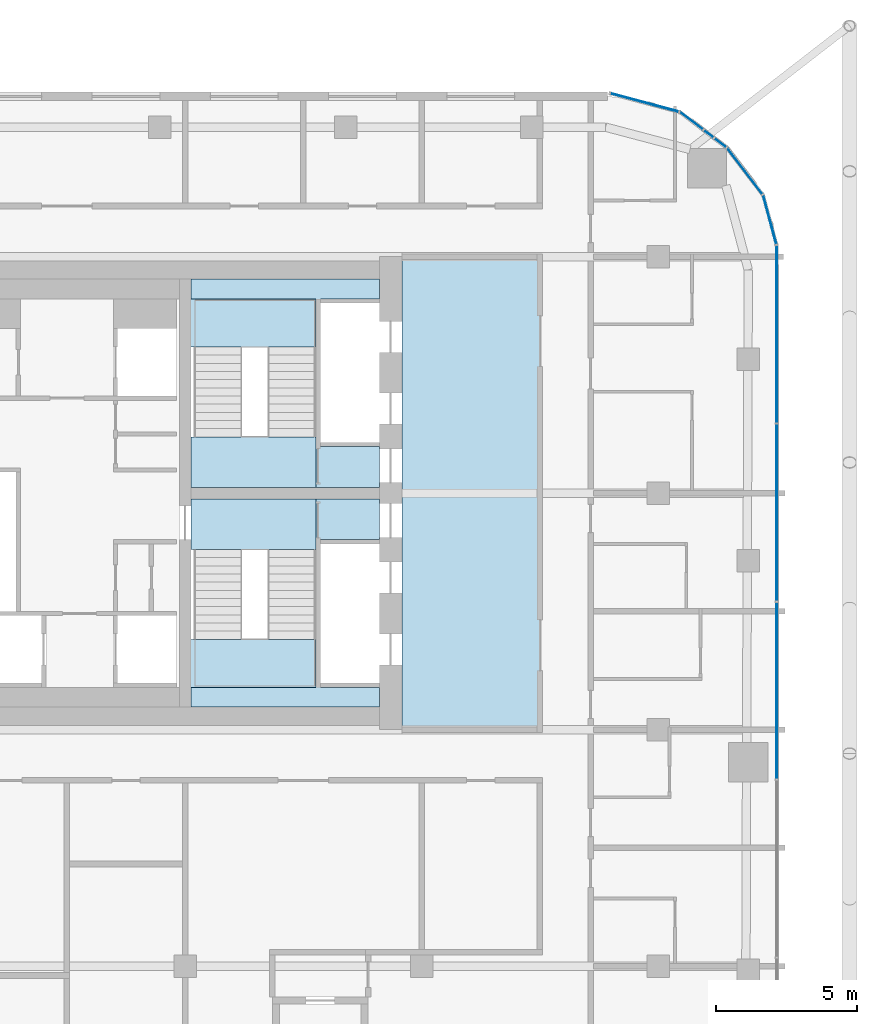
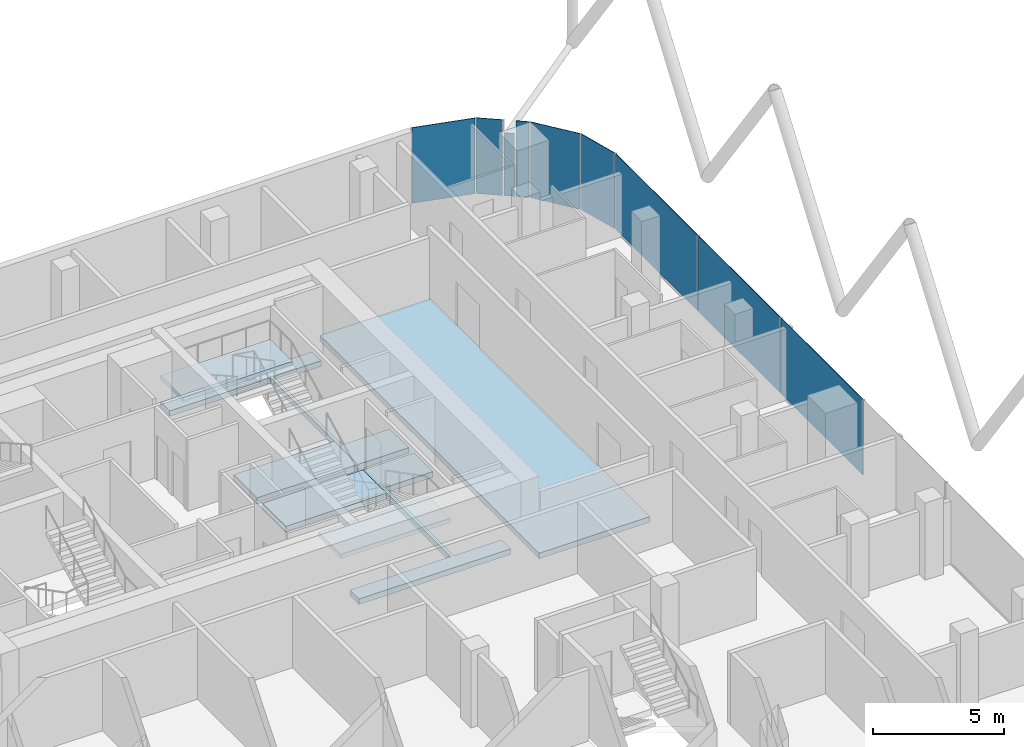
# One storey, part 19 of 28: 9 plates, 7 slabs, 9 elements without a shape of their own.
"""IFC4 building model written with IfcOpenShell, lengths in metres."""

from ifc_helpers import new_model, si_unit, direction, frame, origin, origin_2d, place, context, subcontext, project, spatial, polyline, rectangle, outline, extrude, material, layer, layer_set, type_object, element, aggregate, save


model = new_model("IFC4")

# Units and contexts
model_context = context("Model", 3, precision=1e-05, world=origin(), true_north=direction((0.0, 1.0)))
body_context = subcontext(model_context, "Body", "Model", "MODEL_VIEW")
ifc_project = project(units=[si_unit("LENGTHUNIT", "METRE"), si_unit("AREAUNIT", "SQUARE_METRE"), si_unit("VOLUMEUNIT", "CUBIC_METRE"), si_unit("PLANEANGLEUNIT", "RADIAN"), si_unit("MASSUNIT", "GRAM", prefix="KILO")], contexts=[model_context])

# Site, building, storey
site_placement = place(None, origin())
site = spatial("IfcSite", under=ifc_project, at=site_placement, CompositionType="ELEMENT")
building_placement = place(site_placement, origin())
building = spatial("IfcBuilding", under=site, at=building_placement, Name="Marenta Gate Hotel Tower", CompositionType="ELEMENT")
storey_placement = place(building_placement, frame((0.0, 0.0, 241.699951171875)))
storey = spatial("IfcBuildingStorey", under=building, at=storey_placement, Name="L57", CompositionType="ELEMENT", Elevation=241.699951171875)

# Slabs
ifc_material_1 = material(Name="Concrete C40", Category="concrete")
ifc_layer_1 = layer(ifc_material_1, 0.260009765625)
ifc_layer_set_1 = layer_set([ifc_layer_1], Name="Concrete C40")
slab_type_1 = type_object("IfcSlabType", Name="Core floor slab 260", PredefinedType="FLOOR", material=ifc_layer_set_1)
slab_1_placement = place(storey_placement, frame((0.0, 0.0, -0.260009765625)))
element("IfcSlab", 1, at=slab_1_placement, inside=storey, type_object=slab_type_1, Name="L57-CF-1", PredefinedType="FLOOR", context=body_context, shape_type="SweptSolid", body=[
    extrude(outline(polyline([(11.89990234375, 0.0), (11.89990234375, 16.800048828125), (16.800048828125, 16.800048828125), (16.800048828125, 0.0), (11.89990234375, 0.0)])), origin(), (0.0, 0.0, 1.0), 0.260009765625),
])
slab_2_placement = place(storey_placement, frame((0.0, 0.0, -0.260009765625)))
element("IfcSlab", 2, at=slab_2_placement, inside=storey, type_object=slab_type_1, Name="L57-CF-2", PredefinedType="FLOOR", context=body_context, shape_type="SweptSolid", body=[
    extrude(outline(polyline([(8.85009765625, 1.5), (8.85009765625, 6.39990234375), (8.85009765625, 8.10009765625), (8.85009765625, 8.199951171875), (11.10009765625, 8.199951171875), (11.10009765625, 6.75), (9.0, 6.75), (9.0, 6.60009765625), (9.0, 4.199951171875), (9.0, 4.050048828125), (9.0, 1.64990234375), (9.0, 1.5), (11.10009765625, 1.5), (11.10009765625, 0.800048828125), (4.39990234375, 0.800048828125), (4.39990234375, 1.5), (8.85009765625, 1.5)])), origin(), (0.0, 0.0, 1.0), 0.260009765625),
])
slab_3_placement = place(storey_placement, frame((0.0, 0.0, -0.260009765625)))
element("IfcSlab", 3, at=slab_3_placement, inside=storey, type_object=slab_type_1, Name="L57-CF-3", PredefinedType="FLOOR", context=body_context, shape_type="SweptSolid", body=[
    extrude(outline(polyline([(8.85009765625, 15.300048828125), (4.39990234375, 15.300048828125), (4.39990234375, 16.0), (11.10009765625, 16.0), (11.10009765625, 15.300048828125), (9.0, 15.300048828125), (9.0, 15.14990234375), (9.0, 12.75), (9.0, 12.60009765625), (9.0, 10.199951171875), (9.0, 10.050048828125), (11.10009765625, 10.050048828125), (11.10009765625, 8.60009765625), (8.85009765625, 8.60009765625), (8.85009765625, 8.699951171875), (8.85009765625, 10.39990234375), (8.85009765625, 15.300048828125)])), origin(), (0.0, 0.0, 1.0), 0.260009765625),
])

# Stair, slab
ifc_material_2 = material(Name="Concrete C40", Category="concrete")
stair_type = type_object("IfcStairType", Name="Core exit stair 1700 wide", PredefinedType="HALF_TURN_STAIR", material=ifc_material_2)
stair_1_placement = place(storey_placement, origin())
stair_1 = element("IfcStair", 4, at=stair_1_placement, inside=storey, type_object=stair_type, Name="Exit stair 3", PredefinedType="HALF_TURN_STAIR")
ifc_material_3 = material(Name="Concrete C40", Category="concrete")
ifc_layer_2 = layer(ifc_material_3, 0.199951171875)
ifc_layer_set_2 = layer_set([ifc_layer_2], Name="Concrete C40")
slab_type_2 = type_object("IfcSlabType", Name="Core stair landing 200", PredefinedType="LANDING", material=ifc_layer_set_2)
slab_4_placement = place(storey_placement, frame((0.0, 0.0, 1.60009765625)))
slab_4 = element("IfcSlab", 5, at=slab_4_placement, type_object=slab_type_2, Name="SL-200 ST3 landing 1", PredefinedType="LANDING", context=body_context, shape_type="SweptSolid", body=[
    extrude(outline(polyline([(4.0, 1.5), (8.85009765625, 1.5), (8.85009765625, 3.2099609375), (4.0, 3.2099609375), (4.0, 1.5)])), origin(), (0.0, 0.0, 1.0), 0.199951171875),
])
aggregate(stair_1, [slab_4])

stair_2_placement = place(storey_placement, origin())
stair_2 = element("IfcStair", 6, at=stair_2_placement, inside=storey, type_object=stair_type, Name="Exit stair 4", PredefinedType="HALF_TURN_STAIR")
slab_5_placement = place(storey_placement, frame((0.0, 0.0, 1.60009765625)))
slab_5 = element("IfcSlab", 7, at=slab_5_placement, type_object=slab_type_2, Name="SL-200 ST4 landing 1", PredefinedType="LANDING", context=body_context, shape_type="SweptSolid", body=[
    extrude(outline(polyline([(4.0, 13.590087890625), (8.85009765625, 13.590087890625), (8.85009765625, 15.300048828125), (4.0, 15.300048828125), (4.0, 13.590087890625)])), origin(), (0.0, 0.0, 1.0), 0.199951171875),
])
aggregate(stair_2, [slab_5])

# Curtain wall, plates
ifc_material_4 = material(Name="Tinted insulated glass in bronze anodised frame", Category="glass")
ifc_layer_3 = layer(ifc_material_4, 0.1201171875)
ifc_layer_set_3 = layer_set([ifc_layer_3], Name="Tinted insulated glass in bronze anodised frame")
curtain_wall_type = type_object("IfcCurtainWallType", Name="Tower unitised curtain wall CW1", PredefinedType="NOTDEFINED", material=ifc_layer_set_3)
curtain_wall_1_placement = place(storey_placement, origin())
curtain_wall_1 = element("IfcCurtainWall", 8, at=curtain_wall_1_placement, inside=storey, type_object=curtain_wall_type, Name="CW1 run G19", PredefinedType="NOTDEFINED")
ifc_material_5 = material(Name="Tinted insulated glass", Category="glass")
ifc_layer_4 = layer(ifc_material_5, 0.028076171875)
ifc_layer_set_4 = layer_set([ifc_layer_4], Name="Tinted insulated glass")
plate_type = type_object("IfcPlateType", Name="Glass panel CW1 28 mm tinted insulated unit", PredefinedType="CURTAIN_PANEL", material=ifc_layer_set_4)
plate_1_placement = place(storey_placement, frame((25.214111328125, 1.38525390625, 0.06005859375), z_axis=(0.0, 0.0, 1.0), x_axis=(0.0, 1.0, 0.0)))
plate_1 = element("IfcPlate", 9, at=plate_1_placement, type_object=plate_type, Name="CW1 panel 4.1", PredefinedType="CURTAIN_PANEL", context=body_context, shape_type="SweptSolid", body=[
    extrude(rectangle(XDim=6.2626953125, YDim=0.028076171875, at=origin_2d()), origin(), (0.0, 0.0, 1.0), 3.5400390625),
])
plate_2_placement = place(storey_placement, frame((25.214111328125, 7.7080078125, 0.06005859375), z_axis=(0.0, 0.0, 1.0), x_axis=(0.0, 1.0, 0.0)))
plate_2 = element("IfcPlate", 10, at=plate_2_placement, type_object=plate_type, Name="CW1 panel 5.1", PredefinedType="CURTAIN_PANEL", context=body_context, shape_type="SweptSolid", body=[
    extrude(rectangle(XDim=6.2626953125, YDim=0.028076171875, at=origin_2d()), origin(), (0.0, 0.0, 1.0), 3.5400390625),
])
plate_3_placement = place(storey_placement, frame((25.214111328125, 14.045654296875, 0.06005859375), z_axis=(0.0, 0.0, 1.0), x_axis=(0.0, 1.0, 0.0)))
plate_3 = element("IfcPlate", 11, at=plate_3_placement, type_object=plate_type, Name="CW1 panel 6.1", PredefinedType="CURTAIN_PANEL", context=body_context, shape_type="SweptSolid", body=[
    extrude(rectangle(XDim=6.29248046875, YDim=0.028076171875, at=origin_2d()), origin(), (0.0, 0.0, 1.0), 3.5400390625),
])
aggregate(curtain_wall_1, [plate_1, plate_2, plate_3])

# Curtain wall, plate
curtain_wall_2_placement = place(storey_placement, origin())
curtain_wall_2 = element("IfcCurtainWall", 12, at=curtain_wall_2_placement, inside=storey, type_object=curtain_wall_type, Name="CW1 run G20", PredefinedType="NOTDEFINED")
plate_4_placement = place(storey_placement, frame((24.96630859375, 18.1162109375, 0.06005859375), z_axis=(0.0, 0.0, 1.0), x_axis=(-0.258824166754, 0.965924453932, 0.0)))
plate_4 = element("IfcPlate", 13, at=plate_4_placement, type_object=plate_type, Name="CW1 panel 1.1", PredefinedType="CURTAIN_PANEL", context=body_context, shape_type="SweptSolid", body=[
    extrude(rectangle(XDim=1.793701171875, YDim=0.028076171875, at=origin_2d()), origin(), (0.0, 0.0, 1.0), 3.5400390625),
])
aggregate(curtain_wall_2, [plate_4])

curtain_wall_3_placement = place(storey_placement, origin())
curtain_wall_3 = element("IfcCurtainWall", 14, at=curtain_wall_3_placement, inside=storey, type_object=curtain_wall_type, Name="CW1 run G21", PredefinedType="NOTDEFINED")
plate_5_placement = place(storey_placement, frame((24.0751953125, 19.84130859375, 0.06005859375), z_axis=(0.0, 0.0, 1.0), x_axis=(-0.608787499222, 0.793333335233, 0.0)))
plate_5 = element("IfcPlate", 15, at=plate_5_placement, type_object=plate_type, Name="CW1 panel 1.1", PredefinedType="CURTAIN_PANEL", context=body_context, shape_type="SweptSolid", body=[
    extrude(rectangle(XDim=2.045166015625, YDim=0.028076171875, at=origin_2d()), origin(), (0.0, 0.0, 1.0), 3.5400390625),
])
aggregate(curtain_wall_3, [plate_5])

curtain_wall_4_placement = place(storey_placement, origin())
curtain_wall_4 = element("IfcCurtainWall", 16, at=curtain_wall_4_placement, inside=storey, type_object=curtain_wall_type, Name="CW1 run G22", PredefinedType="NOTDEFINED")
plate_6_placement = place(storey_placement, frame((23.20458984375, 20.843017578125, 0.06005859375), z_axis=(0.0, 0.0, 1.0), x_axis=(-0.793347091368, 0.608769572677, 0.0)))
plate_6 = element("IfcPlate", 17, at=plate_6_placement, type_object=plate_type, Name="CW1 panel 1.1", PredefinedType="CURTAIN_PANEL", context=body_context, shape_type="SweptSolid", body=[
    extrude(rectangle(XDim=0.505126953125, YDim=0.028076171875, at=origin_2d()), origin(), (0.0, 0.0, 1.0), 3.5400390625),
])
aggregate(curtain_wall_4, [plate_6])

curtain_wall_5_placement = place(storey_placement, origin())
curtain_wall_5 = element("IfcCurtainWall", 18, at=curtain_wall_5_placement, inside=storey, type_object=curtain_wall_type, Name="CW1 run G23", PredefinedType="NOTDEFINED")
plate_7_placement = place(storey_placement, frame((22.794677734375, 21.157470703125, 0.06005859375), z_axis=(0.0, 0.0, 1.0), x_axis=(-0.793290143052, 0.608843780404, 0.0)))
plate_7 = element("IfcPlate", 19, at=plate_7_placement, type_object=plate_type, Name="CW1 panel 1.1", PredefinedType="CURTAIN_PANEL", context=body_context, shape_type="SweptSolid", body=[
    extrude(rectangle(XDim=0.408447265625, YDim=0.028076171875, at=origin_2d()), origin(), (0.0, 0.0, 1.0), 2.9404296875),
])
aggregate(curtain_wall_5, [plate_7])

curtain_wall_6_placement = place(storey_placement, origin())
curtain_wall_6 = element("IfcCurtainWall", 20, at=curtain_wall_6_placement, inside=storey, type_object=curtain_wall_type, Name="CW1 run G24", PredefinedType="NOTDEFINED")
plate_8_placement = place(storey_placement, frame((22.183837890625, 21.626220703125, 0.06005859375), z_axis=(0.0, 0.0, 1.0), x_axis=(-0.793344960162, 0.60877235005, 0.0)))
plate_8 = element("IfcPlate", 21, at=plate_8_placement, type_object=plate_type, Name="CW1 panel 1.1", PredefinedType="CURTAIN_PANEL", context=body_context, shape_type="SweptSolid", body=[
    extrude(rectangle(XDim=1.01171875, YDim=0.028076171875, at=origin_2d()), origin(), (0.0, 0.0, 1.0), 3.5400390625),
])
aggregate(curtain_wall_6, [plate_8])

curtain_wall_7_placement = place(storey_placement, origin())
curtain_wall_7 = element("IfcCurtainWall", 22, at=curtain_wall_7_placement, inside=storey, type_object=curtain_wall_type, Name="CW1 run G25", PredefinedType="NOTDEFINED")
plate_9_placement = place(storey_placement, frame((20.51953125, 22.272705078125, 0.06005859375), z_axis=(0.0, 0.0, 1.0), x_axis=(-0.96592961764, 0.258804895175, 0.0)))
plate_9 = element("IfcPlate", 23, at=plate_9_placement, type_object=plate_type, Name="CW1 panel 1.1", PredefinedType="CURTAIN_PANEL", context=body_context, shape_type="SweptSolid", body=[
    extrude(rectangle(XDim=2.4951171875, YDim=0.028076171875, at=origin_2d()), origin(), (0.0, 0.0, 1.0), 3.5400390625),
])
aggregate(curtain_wall_7, [plate_9])

# Slabs
ifc_material_6 = material(Name="Concrete C40", Category="concrete")
ifc_layer_5 = layer(ifc_material_6, 0.300048828125)
ifc_layer_set_5 = layer_set([ifc_layer_5], Name="Concrete C40")
slab_type_3 = type_object("IfcSlabType", Name="Stair floor landing slab 300", PredefinedType="FLOOR", material=ifc_layer_set_5)
slab_6_placement = place(storey_placement, frame((0.0, 0.0, -0.300048828125)))
element("IfcSlab", 24, at=slab_6_placement, inside=storey, type_object=slab_type_3, Name="L57-CL-ST3-1", PredefinedType="FLOOR", context=body_context, shape_type="SweptSolid", body=[
    extrude(outline(polyline([(4.39990234375, 6.39990234375), (4.39990234375, 8.199951171875), (8.85009765625, 8.199951171875), (8.85009765625, 8.10009765625), (8.85009765625, 6.39990234375), (4.39990234375, 6.39990234375)])), origin(), (0.0, 0.0, 1.0), 0.300048828125),
])
slab_7_placement = place(storey_placement, frame((0.0, 0.0, -0.300048828125)))
element("IfcSlab", 25, at=slab_7_placement, inside=storey, type_object=slab_type_3, Name="L57-CL-ST4-1", PredefinedType="FLOOR", context=body_context, shape_type="SweptSolid", body=[
    extrude(outline(polyline([(4.39990234375, 8.60009765625), (4.39990234375, 10.39990234375), (8.85009765625, 10.39990234375), (8.85009765625, 8.699951171875), (8.85009765625, 8.60009765625), (4.39990234375, 8.60009765625)])), origin(), (0.0, 0.0, 1.0), 0.300048828125),
])

save(model, "model.ifc")
